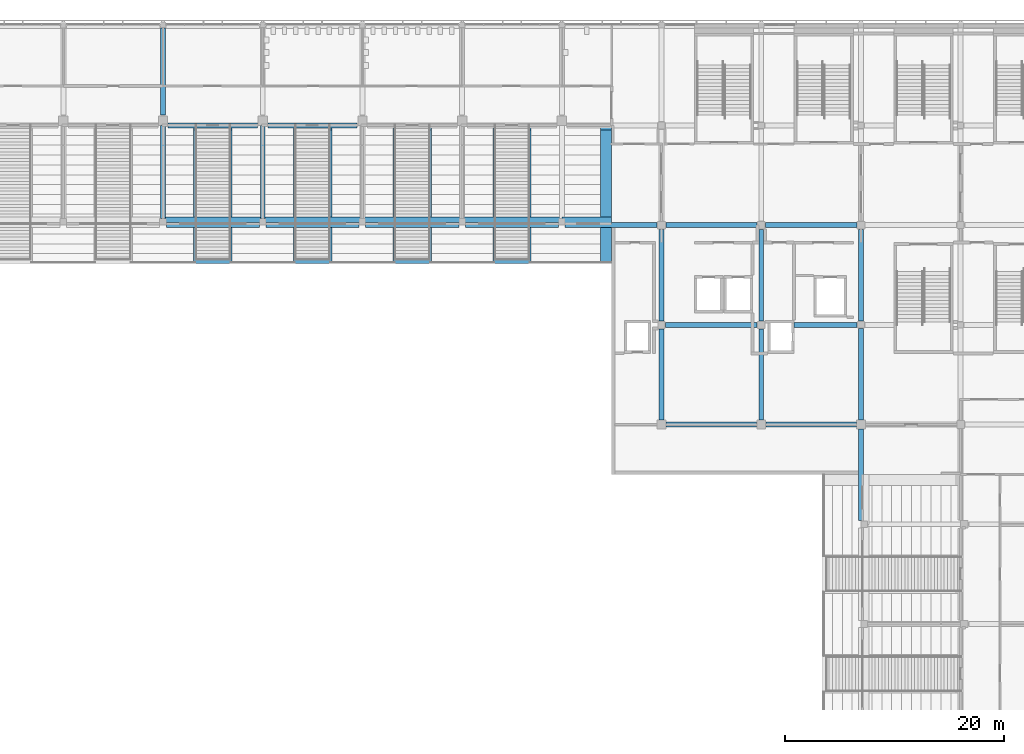
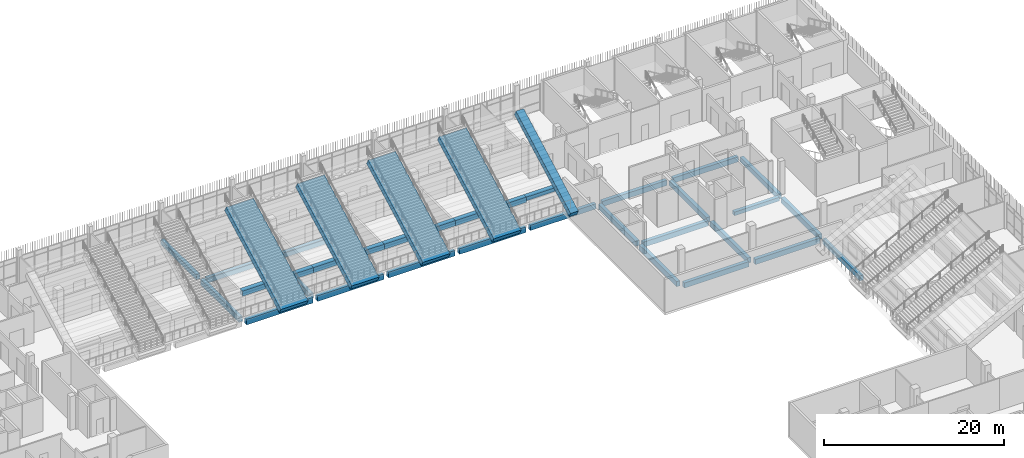
# One storey, part 43 of 139: 33 beams.
"""IFC4 building model written with IfcOpenShell, lengths in metres."""

from ifc_helpers import new_model, si_unit, direction, frame, origin, origin_2d, place, context, subcontext, project, spatial, rectangle, extrude, material, material_profile, profile_set, type_object, element, save


model = new_model("IFC4")

# Units and contexts
model_context = context("Model", 3, precision=1e-05, world=origin(), true_north=direction((0.0, 1.0)))
body_context = subcontext(model_context, "Body", "Model", "MODEL_VIEW")
ifc_project = project(units=[si_unit("LENGTHUNIT", "METRE"), si_unit("AREAUNIT", "SQUARE_METRE"), si_unit("VOLUMEUNIT", "CUBIC_METRE"), si_unit("PLANEANGLEUNIT", "RADIAN"), si_unit("MASSUNIT", "GRAM", prefix="KILO")], contexts=[model_context])

# Site, building, storey
site_placement = place(None, origin())
site = spatial("IfcSite", under=ifc_project, at=site_placement, CompositionType="ELEMENT")
building_placement = place(site_placement, origin())
building = spatial("IfcBuilding", under=site, at=building_placement, Name="Shirokan Park Arena", CompositionType="ELEMENT")
storey_placement = place(building_placement, frame((0.0, 0.0, 15.469970703125)))
storey = spatial("IfcBuildingStorey", under=building, at=storey_placement, Name="L03", CompositionType="ELEMENT", Elevation=15.469970703125)

# Beams
ifc_material = material(Name="Concrete C35", Category="concrete")
ifc_material_profile_1 = material_profile(ifc_material, rectangle(XDim=1.0, YDim=0.75, at=origin_2d()), Name="1000x750")
ifc_profile_set_1 = profile_set([ifc_material_profile_1], Name="Concrete C35")
beam_type_1 = type_object("IfcBeamType", Name="RC end raker 1000x750", PredefinedType="USERDEFINED", material=ifc_profile_set_1)
beam_1_placement = place(storey_placement, frame((104.14990234375, 87.676513671875, 1.822509765625), z_axis=(0.0, 0.882357349738, 0.470579969147), x_axis=(-1.0, 0.0, 0.0)))
element("IfcBeam", 1, at=beam_1_placement, inside=storey, type_object=beam_type_1, Name="End raker upper N 2", ObjectType="END RAKER BEAM", PredefinedType="USERDEFINED", context=body_context, shape_type="SweptSolid", body=[
    extrude(rectangle(XDim=1.0, YDim=0.75, at=origin_2d()), origin(), (0.0, 0.0, 1.0), 13.796630859375),
])
ifc_material_profile_2 = material_profile(ifc_material, rectangle(XDim=0.449951171875, YDim=0.5, at=origin_2d()), Name="450x500")
ifc_profile_set_2 = profile_set([ifc_material_profile_2], Name="Concrete C35")
beam_type_2 = type_object("IfcBeamType", Name="RC girder 450x500", PredefinedType="BEAM", material=ifc_profile_set_2)
beam_2_placement = place(storey_placement, frame((121.300048828125, 81.89990234375, -0.550048828125), z_axis=(1.0, 0.0, 0.0), x_axis=(0.0, 1.0, 0.0)))
element("IfcBeam", 2, at=beam_2_placement, inside=storey, type_object=beam_type_2, Name="Girder 14K-15K L03", PredefinedType="BEAM", context=body_context, shape_type="SweptSolid", body=[
    extrude(rectangle(XDim=0.449951171875, YDim=0.5, at=origin_2d()), origin(), (0.0, 0.0, 1.0), 5.749755859375),
])
ifc_material_profile_3 = material_profile(ifc_material, rectangle(XDim=0.449951171875, YDim=0.699951171875, at=origin_2d()), Name="450x700")
ifc_profile_set_3 = profile_set([ifc_material_profile_3], Name="Concrete C35")
beam_type_3 = type_object("IfcBeamType", Name="RC girder 450x700", PredefinedType="BEAM", material=ifc_profile_set_3)
beam_3_placement = place(storey_placement, frame((64.175048828125, 100.10009765625, -0.64990234375), z_axis=(1.0, 0.0, 0.0), x_axis=(0.0, 1.0, 0.0)))
element("IfcBeam", 3, at=beam_3_placement, inside=storey, type_object=beam_type_3, Name="Girder 8M-9M L03", PredefinedType="BEAM", context=body_context, shape_type="SweptSolid", body=[
    extrude(rectangle(XDim=0.449951171875, YDim=0.699951171875, at=origin_2d()), origin(), (0.0, 0.0, 1.0), 8.14990234375),
])
beam_4_placement = place(storey_placement, frame((73.275146484375, 100.10009765625, -0.64990234375), z_axis=(1.0, 0.0, 0.0), x_axis=(0.0, 1.0, 0.0)))
element("IfcBeam", 4, at=beam_4_placement, inside=storey, type_object=beam_type_3, Name="Girder 9M-10M L03", PredefinedType="BEAM", context=body_context, shape_type="SweptSolid", body=[
    extrude(rectangle(XDim=0.449951171875, YDim=0.699951171875, at=origin_2d()), origin(), (0.0, 0.0, 1.0), 8.149658203125),
])
beam_5_placement = place(storey_placement, frame((100.400146484375, 91.0, -0.64990234375), z_axis=(1.0, 0.0, 0.0), x_axis=(0.0, 1.0, 0.0)))
element("IfcBeam", 5, at=beam_5_placement, inside=storey, type_object=beam_type_3, Name="Girder 12L-13L L03", PredefinedType="BEAM", context=body_context, shape_type="SweptSolid", body=[
    extrude(rectangle(XDim=0.449951171875, YDim=0.699951171875, at=origin_2d()), origin(), (0.0, 0.0, 1.0), 8.399658203125),
])
beam_6_placement = place(storey_placement, frame((109.625, 72.800048828125, -0.64990234375), z_axis=(1.0, 0.0, 0.0), x_axis=(0.0, 1.0, 0.0)))
element("IfcBeam", 6, at=beam_6_placement, inside=storey, type_object=beam_type_3, Name="Girder 13J-14J L03", PredefinedType="BEAM", context=body_context, shape_type="SweptSolid", body=[
    extrude(rectangle(XDim=0.449951171875, YDim=0.699951171875, at=origin_2d()), origin(), (0.0, 0.0, 1.0), 8.25),
])
beam_7_placement = place(storey_placement, frame((109.5751953125, 81.89990234375, -0.64990234375), z_axis=(1.0, 0.0, 0.0), x_axis=(0.0, 1.0, 0.0)))
element("IfcBeam", 7, at=beam_7_placement, inside=storey, type_object=beam_type_3, Name="Girder 13K-14K L03", PredefinedType="BEAM", context=body_context, shape_type="SweptSolid", body=[
    extrude(rectangle(XDim=0.449951171875, YDim=0.699951171875, at=origin_2d()), origin(), (0.0, 0.0, 1.0), 8.349609375),
])
beam_8_placement = place(storey_placement, frame((109.60009765625, 91.0, -0.64990234375), z_axis=(1.0, 0.0, 0.0), x_axis=(0.0, 1.0, 0.0)))
element("IfcBeam", 8, at=beam_8_placement, inside=storey, type_object=beam_type_3, Name="Girder 13L-14L L03", PredefinedType="BEAM", context=body_context, shape_type="SweptSolid", body=[
    extrude(rectangle(XDim=0.449951171875, YDim=0.699951171875, at=origin_2d()), origin(), (0.0, 0.0, 1.0), 8.2998046875),
])
beam_9_placement = place(storey_placement, frame((118.72509765625, 72.800048828125, -0.64990234375), z_axis=(1.0, 0.0, 0.0), x_axis=(0.0, 1.0, 0.0)))
element("IfcBeam", 9, at=beam_9_placement, inside=storey, type_object=beam_type_3, Name="Girder 14J-15J L03", PredefinedType="BEAM", context=body_context, shape_type="SweptSolid", body=[
    extrude(rectangle(XDim=0.449951171875, YDim=0.699951171875, at=origin_2d()), origin(), (0.0, 0.0, 1.0), 8.249755859375),
])
beam_10_placement = place(storey_placement, frame((118.7001953125, 91.0, -0.64990234375), z_axis=(1.0, 0.0, 0.0), x_axis=(0.0, 1.0, 0.0)))
element("IfcBeam", 10, at=beam_10_placement, inside=storey, type_object=beam_type_3, Name="Girder 14L-15L L03", PredefinedType="BEAM", context=body_context, shape_type="SweptSolid", body=[
    extrude(rectangle(XDim=0.449951171875, YDim=0.699951171875, at=origin_2d()), origin(), (0.0, 0.0, 1.0), 8.32470703125),
])
beam_11_placement = place(storey_placement, frame((63.699951171875, 101.050048828125, -0.64990234375), z_axis=(0.0, 1.0, 0.0), x_axis=(-1.0, 0.0, 0.0)))
element("IfcBeam", 11, at=beam_11_placement, inside=storey, type_object=beam_type_3, Name="Girder 8M-8N L03", PredefinedType="BEAM", context=body_context, shape_type="SweptSolid", body=[
    extrude(rectangle(XDim=0.449951171875, YDim=0.699951171875, at=origin_2d()), origin(), (0.0, 0.0, 1.0), 7.9248046875),
])
beam_12_placement = place(storey_placement, frame((109.199951171875, 73.22509765625, -0.64990234375), z_axis=(0.0, 1.0, 0.0), x_axis=(-1.0, 0.0, 0.0)))
element("IfcBeam", 12, at=beam_12_placement, inside=storey, type_object=beam_type_3, Name="Girder 13J-13K L03", PredefinedType="BEAM", context=body_context, shape_type="SweptSolid", body=[
    extrude(rectangle(XDim=0.449951171875, YDim=0.699951171875, at=origin_2d()), origin(), (0.0, 0.0, 1.0), 8.2998046875),
])
beam_13_placement = place(storey_placement, frame((109.199951171875, 82.275146484375, -0.64990234375), z_axis=(0.0, 1.0, 0.0), x_axis=(-1.0, 0.0, 0.0)))
element("IfcBeam", 13, at=beam_13_placement, inside=storey, type_object=beam_type_3, Name="Girder 13K-13L L03", PredefinedType="BEAM", context=body_context, shape_type="SweptSolid", body=[
    extrude(rectangle(XDim=0.449951171875, YDim=0.699951171875, at=origin_2d()), origin(), (0.0, 0.0, 1.0), 8.32470703125),
])
beam_14_placement = place(storey_placement, frame((118.300048828125, 73.22509765625, -0.64990234375), z_axis=(0.0, 1.0, 0.0), x_axis=(-1.0, 0.0, 0.0)))
element("IfcBeam", 14, at=beam_14_placement, inside=storey, type_object=beam_type_3, Name="Girder 14J-14K L03", PredefinedType="BEAM", context=body_context, shape_type="SweptSolid", body=[
    extrude(rectangle(XDim=0.449951171875, YDim=0.699951171875, at=origin_2d()), origin(), (0.0, 0.0, 1.0), 8.2998046875),
])
beam_15_placement = place(storey_placement, frame((118.300048828125, 82.275146484375, -0.64990234375), z_axis=(0.0, 1.0, 0.0), x_axis=(-1.0, 0.0, 0.0)))
element("IfcBeam", 15, at=beam_15_placement, inside=storey, type_object=beam_type_3, Name="Girder 14K-14L L03", PredefinedType="BEAM", context=body_context, shape_type="SweptSolid", body=[
    extrude(rectangle(XDim=0.449951171875, YDim=0.699951171875, at=origin_2d()), origin(), (0.0, 0.0, 1.0), 8.32470703125),
])
beam_16_placement = place(storey_placement, frame((127.39990234375, 64.025146484375, -0.64990234375), z_axis=(0.0, 1.0, 0.0), x_axis=(-1.0, 0.0, 0.0)))
element("IfcBeam", 16, at=beam_16_placement, inside=storey, type_object=beam_type_3, Name="Girder 15H-15J L03", PredefinedType="BEAM", context=body_context, shape_type="SweptSolid", body=[
    extrude(rectangle(XDim=0.449951171875, YDim=0.699951171875, at=origin_2d()), origin(), (0.0, 0.0, 1.0), 8.349853515625),
])
beam_17_placement = place(storey_placement, frame((127.39990234375, 73.22509765625, -0.64990234375), z_axis=(0.0, 1.0, 0.0), x_axis=(-1.0, 0.0, 0.0)))
element("IfcBeam", 17, at=beam_17_placement, inside=storey, type_object=beam_type_3, Name="Girder 15J-15K L03", PredefinedType="BEAM", context=body_context, shape_type="SweptSolid", body=[
    extrude(rectangle(XDim=0.449951171875, YDim=0.699951171875, at=origin_2d()), origin(), (0.0, 0.0, 1.0), 8.32470703125),
])
beam_18_placement = place(storey_placement, frame((127.39990234375, 82.25, -0.64990234375), z_axis=(0.0, 1.0, 0.0), x_axis=(-1.0, 0.0, 0.0)))
element("IfcBeam", 18, at=beam_18_placement, inside=storey, type_object=beam_type_3, Name="Girder 15K-15L L03", PredefinedType="BEAM", context=body_context, shape_type="SweptSolid", body=[
    extrude(rectangle(XDim=0.449951171875, YDim=0.699951171875, at=origin_2d()), origin(), (0.0, 0.0, 1.0), 8.375),
])
ifc_material_profile_4 = material_profile(ifc_material, rectangle(XDim=0.449951171875, YDim=0.75, at=origin_2d()), Name="450x750")
ifc_profile_set_4 = profile_set([ifc_material_profile_4], Name="Concrete C35")
beam_type_4 = type_object("IfcBeamType", Name="RC girder 450x750", PredefinedType="BEAM", material=ifc_profile_set_4)
beam_19_placement = place(storey_placement, frame((64.0, 91.0, -0.675048828125), z_axis=(1.0, 0.0, 0.0), x_axis=(0.0, 1.0, 0.0)))
element("IfcBeam", 19, at=beam_19_placement, inside=storey, type_object=beam_type_4, Name="Girder 8L-9L L03", PredefinedType="BEAM", context=body_context, shape_type="SweptSolid", body=[
    extrude(rectangle(XDim=0.449951171875, YDim=0.75, at=origin_2d()), origin(), (0.0, 0.0, 1.0), 8.5),
])
for number, where, z_axis, x_axis, name in (
    (20, (73.10009765625, 91.0, -0.675048828125), (1.0, 0.0, 0.0), (0.0, 1.0, 0.0), "Girder 9L-10L L03"),
    (21, (82.2001953125, 91.0, -0.675048828125), (1.0, 0.0, 0.0), (0.0, 1.0, 0.0), "Girder 10L-11L L03"),
    (22, (91.300048828125, 91.0, -0.675048828125), (1.0, 0.0, 0.0), (0.0, 1.0, 0.0), "Girder 11L-12L L03"),
    (23, (63.699951171875, 91.60009765625, -0.675048828125), (0.0, 1.0, 0.0), (-1.0, 0.0, 0.0), "Girder 8L-8M L03"),
    (24, (72.800048828125, 91.60009765625, -0.675048828125), (0.0, 1.0, 0.0), (-1.0, 0.0, 0.0), "Girder 9L-9M L03"),
):
    element("IfcBeam", number, at=place(storey_placement, frame(where, z_axis=z_axis, x_axis=x_axis)), inside=storey, type_object=beam_type_4, Name=name, PredefinedType="BEAM", context=body_context, shape_type="SweptSolid", body=[
        extrude(rectangle(XDim=0.449951171875, YDim=0.75, at=origin_2d()), origin(), (0.0, 0.0, 1.0), 8.499755859375),
    ])
ifc_material_profile_5 = material_profile(ifc_material, rectangle(XDim=3.5, YDim=0.75, at=origin_2d()), Name="3500x750")
ifc_profile_set_5 = profile_set([ifc_material_profile_5], Name="Concrete C35")
beam_type_5 = type_object("IfcBeamType", Name="RC raker 3500x750", PredefinedType="USERDEFINED", material=ifc_profile_set_5)
for number, where, z_axis, x_axis, name in (
    (25, (68.25, 87.676513671875, 1.822509765625), (0.0, 0.882357349738, 0.470579969147), (-1.0, 0.0, 0.0), "Raker upper N 3"),
    (26, (77.35009765625, 87.676513671875, 1.822509765625), (0.0, 0.882357349738, 0.470579969147), (-1.0, 0.0, 0.0), "Raker upper N 4"),
    (27, (86.449951171875, 87.676513671875, 1.822509765625), (0.0, 0.882357349738, 0.470579969147), (-1.0, 0.0, 0.0), "Raker upper N 5"),
    (28, (95.550048828125, 87.676513671875, 1.822509765625), (0.0, 0.882357349738, 0.470579969147), (-1.0, 0.0, 0.0), "Raker upper N 6"),
):
    element("IfcBeam", number, at=place(storey_placement, frame(where, z_axis=z_axis, x_axis=x_axis)), inside=storey, type_object=beam_type_5, Name=name, ObjectType="RAKER BEAM", PredefinedType="USERDEFINED", context=body_context, shape_type="SweptSolid", body=[
        extrude(rectangle(XDim=3.5, YDim=0.75, at=origin_2d()), origin(), (0.0, 0.0, 1.0), 13.796630859375),
    ])
ifc_material_profile_6 = material_profile(ifc_material, rectangle(XDim=0.60009765625, YDim=0.699951171875, at=origin_2d()), Name="600x700")
ifc_profile_set_6 = profile_set([ifc_material_profile_6], Name="Concrete C35")
beam_type_6 = type_object("IfcBeamType", Name="RC stand girder 600x700", PredefinedType="BEAM", material=ifc_profile_set_6)
beam_20_placement = place(storey_placement, frame((63.699951171875, 91.449951171875, 3.06005859375), z_axis=(1.0, 0.0, 0.0), x_axis=(0.0, 1.0, 0.0)))
element("IfcBeam", 29, at=beam_20_placement, inside=storey, type_object=beam_type_6, Name="Stand girder N R3 4", PredefinedType="BEAM", context=body_context, shape_type="SweptSolid", body=[
    extrude(rectangle(XDim=0.60009765625, YDim=0.699951171875, at=origin_2d()), origin(), (0.0, 0.0, 1.0), 9.10009765625),
])
beam_21_placement = place(storey_placement, frame((72.800048828125, 91.449951171875, 3.06005859375), z_axis=(1.0, 0.0, 0.0), x_axis=(0.0, 1.0, 0.0)))
element("IfcBeam", 30, at=beam_21_placement, inside=storey, type_object=beam_type_6, Name="Stand girder N R3 5", PredefinedType="BEAM", context=body_context, shape_type="SweptSolid", body=[
    extrude(rectangle(XDim=0.60009765625, YDim=0.699951171875, at=origin_2d()), origin(), (0.0, 0.0, 1.0), 9.099853515625),
])
for number, where, z_axis, x_axis, name in (
    (31, (81.89990234375, 91.449951171875, 3.06005859375), (1.0, 0.0, 0.0), (0.0, 1.0, 0.0), "Stand girder N R3 6"),
    (32, (91.0, 91.449951171875, 3.06005859375), (1.0, 0.0, 0.0), (0.0, 1.0, 0.0), "Stand girder N R3 7"),
):
    element("IfcBeam", number, at=place(storey_placement, frame(where, z_axis=z_axis, x_axis=x_axis)), inside=storey, type_object=beam_type_6, Name=name, PredefinedType="BEAM", context=body_context, shape_type="SweptSolid", body=[
        extrude(rectangle(XDim=0.60009765625, YDim=0.699951171875, at=origin_2d()), origin(), (0.0, 0.0, 1.0), 9.10009765625),
    ])
ifc_material_profile_7 = material_profile(ifc_material, rectangle(XDim=0.60009765625, YDim=0.5, at=origin_2d()), Name="600x500")
ifc_profile_set_7 = profile_set([ifc_material_profile_7], Name="Concrete C35")
beam_type_7 = type_object("IfcBeamType", Name="RC stand girder end bay 600x500", PredefinedType="BEAM", material=ifc_profile_set_7)
beam_22_placement = place(storey_placement, frame((100.10009765625, 91.449951171875, 3.159912109375), z_axis=(1.0, 0.0, 0.0), x_axis=(0.0, 1.0, 0.0)))
element("IfcBeam", 33, at=beam_22_placement, inside=storey, type_object=beam_type_7, Name="Stand girder N R3 8", PredefinedType="BEAM", context=body_context, shape_type="SweptSolid", body=[
    extrude(rectangle(XDim=0.60009765625, YDim=0.5, at=origin_2d()), origin(), (0.0, 0.0, 1.0), 4.5498046875),
])

save(model, "model.ifc")
